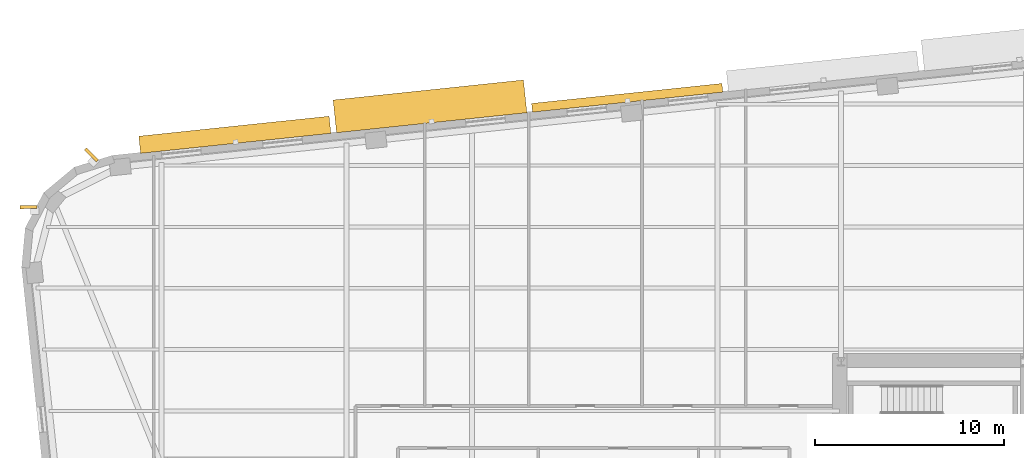
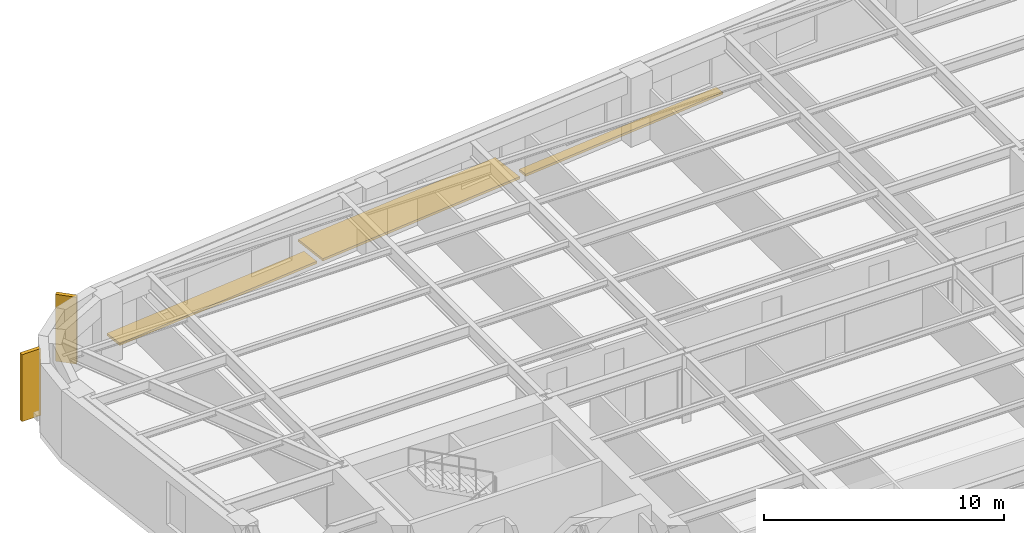
# One storey, part 13 of 15: 5 shading devices.
"""IFC4 building model written with IfcOpenShell, lengths in metres."""

from ifc_helpers import new_model, si_unit, direction, frame, origin, origin_2d, place, context, subcontext, project, spatial, rectangle, extrude, material, type_object, element, save


model = new_model("IFC4")

# Units and contexts
model_context = context("Model", 3, precision=1e-05, world=origin(), true_north=direction((0.0, 1.0)))
body_context = subcontext(model_context, "Body", "Model", "MODEL_VIEW")
ifc_project = project(units=[si_unit("LENGTHUNIT", "METRE"), si_unit("AREAUNIT", "SQUARE_METRE"), si_unit("VOLUMEUNIT", "CUBIC_METRE"), si_unit("PLANEANGLEUNIT", "RADIAN"), si_unit("MASSUNIT", "GRAM", prefix="KILO")], contexts=[model_context])

# Site, building, storey
site_placement = place(None, origin())
site = spatial("IfcSite", under=ifc_project, at=site_placement, CompositionType="ELEMENT")
building_placement = place(site_placement, origin())
building = spatial("IfcBuilding", under=site, at=building_placement, Name="Kolvaren Arena Tower", CompositionType="ELEMENT")
storey_placement = place(building_placement, frame((0.0, 0.0, 142.0)))
storey = spatial("IfcBuildingStorey", under=building, at=storey_placement, Name="L33", CompositionType="ELEMENT", Elevation=142.0)

# Shading devices
ifc_material_1 = material(Name="Precast architectural concrete C50/60 rib fin", Category="concrete")
shading_device_type_1 = type_object("IfcShadingDeviceType", Name="SHAD-FIN-28", PredefinedType="USERDEFINED", material=ifc_material_1)
for number, where, z_axis, x_axis, name in (
    (1, (10.82373046875, 50.31982421875, 0.02001953125), (0.0, 0.0, 1.0), (-0.710184146885, 0.704015963962, 0.0), "Precast 28-Deg Corner Rib Fin (L33)"),
    (2, (7.495361328125, 47.5517578125, 0.02001953125), (0.0, 0.0, 1.0), (-0.999990541547, -0.004349346783, 0.0), "Precast 28-Deg Corner Rib Fin (L33)"),
):
    element("IfcShadingDevice", number, at=place(storey_placement, frame(where, z_axis=z_axis, x_axis=x_axis)), inside=storey, type_object=shading_device_type_1, Name=name, ObjectType="FIN", PredefinedType="USERDEFINED", context=body_context, shape_type="SweptSolid", body=[
        extrude(rectangle(XDim=0.89990234375, YDim=0.179931640625, at=origin_2d()), origin(), (0.0, 0.0, 1.0), 3.39990234375),
    ])
ifc_material_2 = material(Name="Architectural precast GFRC and anodised aluminium sunshade", Category="concrete")
shading_device_type_2 = type_object("IfcShadingDeviceType", Name="SHAD-SINE-A", PredefinedType="USERDEFINED", material=ifc_material_2)
shading_device_1_placement = place(storey_placement, frame((18.427978515625, 51.380126953125, -0.14013671875), z_axis=(0.0, 0.0, 1.0), x_axis=(0.994522077803, 0.104526727499, 0.0)))
element("IfcShadingDevice", 3, at=shading_device_1_placement, inside=storey, type_object=shading_device_type_2, Name="Sinusoidal Slab-Edge Sunshade Louvre (L33)", ObjectType="LOUVRE", PredefinedType="USERDEFINED", context=body_context, shape_type="SweptSolid", body=[
    extrude(rectangle(XDim=10.139892578125, YDim=0.9140625, at=origin_2d()), origin(), (0.0, 0.0, 1.0), 0.1201171875),
])
shading_device_2_placement = place(storey_placement, frame((39.21728515625, 53.339111328125, -0.14013671875), z_axis=(0.0, 0.0, 1.0), x_axis=(0.994522077803, 0.104526727499, 0.0)))
element("IfcShadingDevice", 4, at=shading_device_2_placement, inside=storey, type_object=shading_device_type_2, Name="Sinusoidal Slab-Edge Sunshade Louvre (L33)", ObjectType="LOUVRE", PredefinedType="USERDEFINED", context=body_context, shape_type="SweptSolid", body=[
    extrude(rectangle(XDim=10.139892578125, YDim=0.46435546875, at=origin_2d()), origin(), (0.0, 0.0, 1.0), 0.1201171875),
])
shading_device_type_3 = type_object("IfcShadingDeviceType", Name="SHAD-SINE-B", PredefinedType="JALOUSIE", material=ifc_material_2)
shading_device_3_placement = place(storey_placement, frame((28.767333984375, 52.885009765625, -0.14013671875), z_axis=(0.0, 0.0, 1.0), x_axis=(0.994522077803, 0.104526727499, 0.0)))
element("IfcShadingDevice", 5, at=shading_device_3_placement, inside=storey, type_object=shading_device_type_3, Name="Sinusoidal Slab-Edge Sunshade Louvre (L33)", PredefinedType="JALOUSIE", context=body_context, shape_type="SweptSolid", body=[
    extrude(rectangle(XDim=10.139892578125, YDim=1.745849609375, at=origin_2d()), origin(), (0.0, 0.0, 1.0), 0.1201171875),
])

save(model, "model.ifc")
